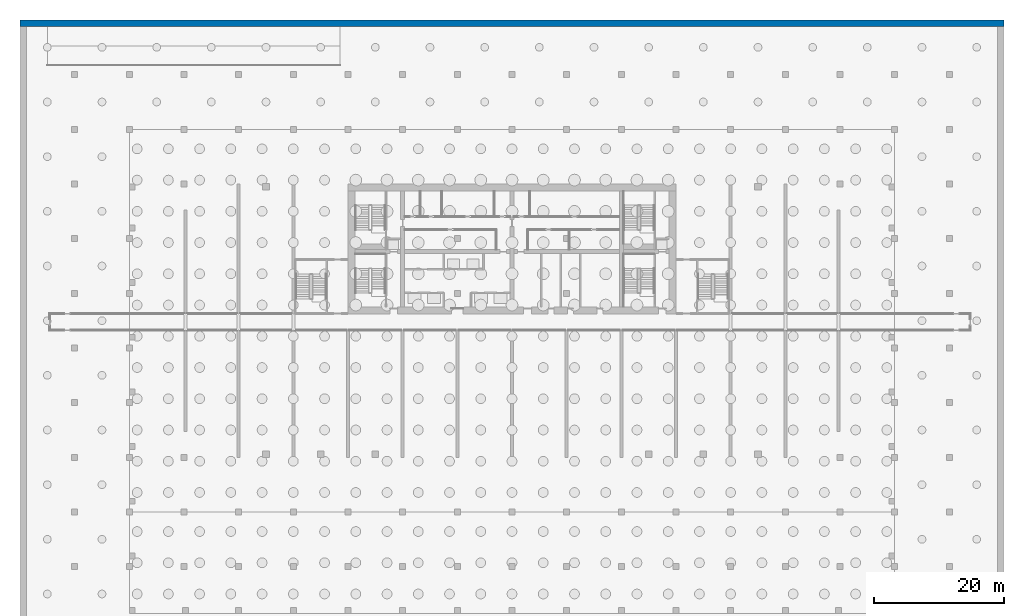
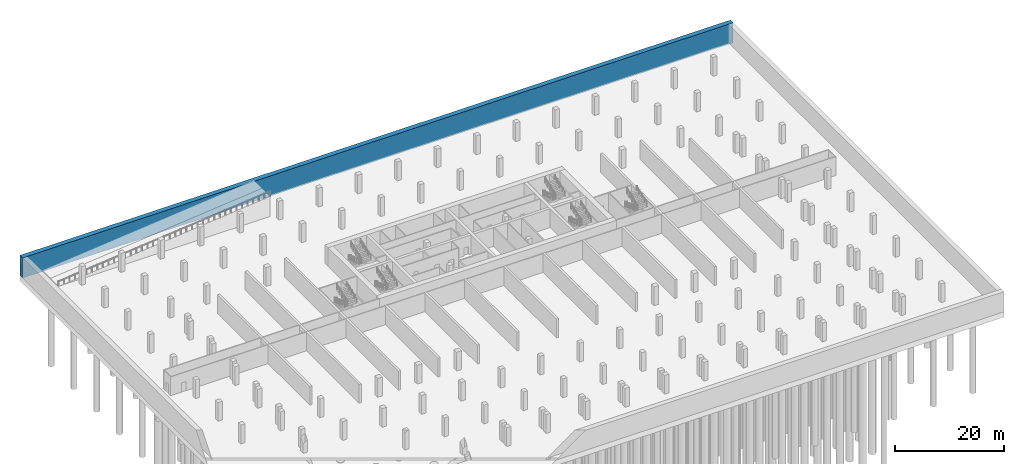
# One storey, part 11 of 17: 1 wall.
"""IFC4 building model written with IfcOpenShell, lengths in metres."""

from ifc_helpers import new_model, si_unit, direction, frame, frame_2d, origin, place, context, subcontext, project, spatial, rectangle, extrude, source, transform, mapped, material, layer, layer_set, type_object, element, save


model = new_model("IFC4")

# Units and contexts
model_context = context("Model", 3, precision=1e-05, world=origin(), true_north=direction((0.0, 1.0)))
body_context = subcontext(model_context, "Body", "Model", "MODEL_VIEW")
ifc_project = project(units=[si_unit("LENGTHUNIT", "METRE"), si_unit("AREAUNIT", "SQUARE_METRE"), si_unit("VOLUMEUNIT", "CUBIC_METRE"), si_unit("PLANEANGLEUNIT", "RADIAN"), si_unit("MASSUNIT", "GRAM", prefix="KILO")], contexts=[model_context])

# Site, building, storey
site_placement = place(None, origin())
site = spatial("IfcSite", under=ifc_project, at=site_placement, CompositionType="ELEMENT")
building_placement = place(site_placement, origin())
building = spatial("IfcBuilding", under=site, at=building_placement, Name="Vanashikhar Sky Hotel", CompositionType="ELEMENT")
storey_placement = place(building_placement, frame((0.0, 0.0, -13.5)))
storey = spatial("IfcBuildingStorey", under=building, at=storey_placement, Name="B3", CompositionType="ELEMENT", Elevation=-13.5)

# Wall
ifc_material = material(Name="Concrete M50", Category="concrete")
ifc_layer = layer(ifc_material, 1.0)
ifc_layer_set = layer_set([ifc_layer], Name="RC retaining wall 1000 Concrete M50")
wall_type = type_object("IfcWallType", Name="RC retaining wall 1000 Concrete M50", PredefinedType="SHEAR", material=ifc_layer_set)
shared_shape = source(origin(), body_context, "Body", "SweptSolid", [
    extrude(rectangle(XDim=151.199951171875, YDim=1.0, at=frame_2d((75.60009765625, 0.0))), origin(), (0.0, 0.0, 1.0), 4.52001953125),
])
wall_placement = place(storey_placement, frame((-25.199951171875, 66.699951171875, -0.300048828125), z_axis=(0.0, 0.0, 1.0), x_axis=(1.0, 0.0, 0.0)))
element("IfcWall", 1, at=wall_placement, inside=storey, type_object=wall_type, Name="RW-B3-N", PredefinedType="SHEAR", context=body_context, shape_type="MappedRepresentation", body=[
    mapped(shared_shape, transform((0.0, 0.0, 0.0), scale=1.0)),
])

save(model, "model.ifc")
